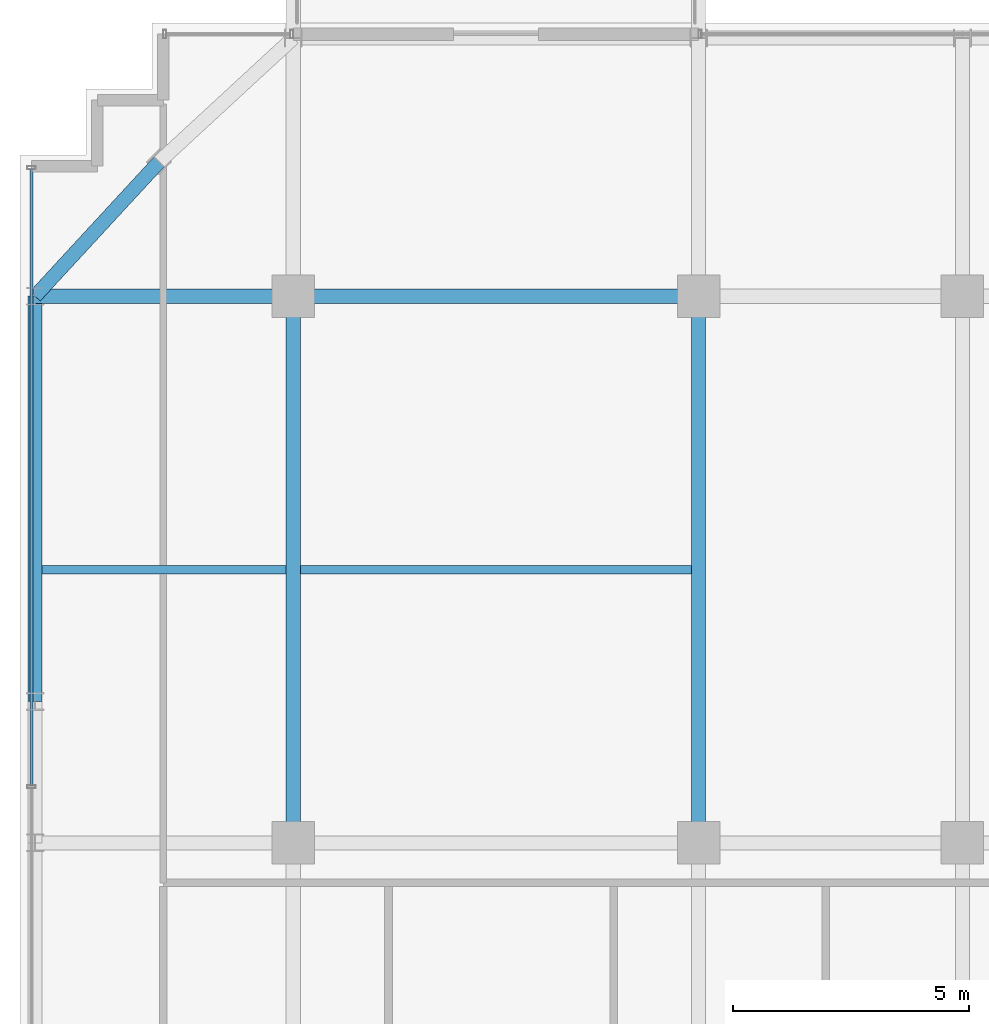
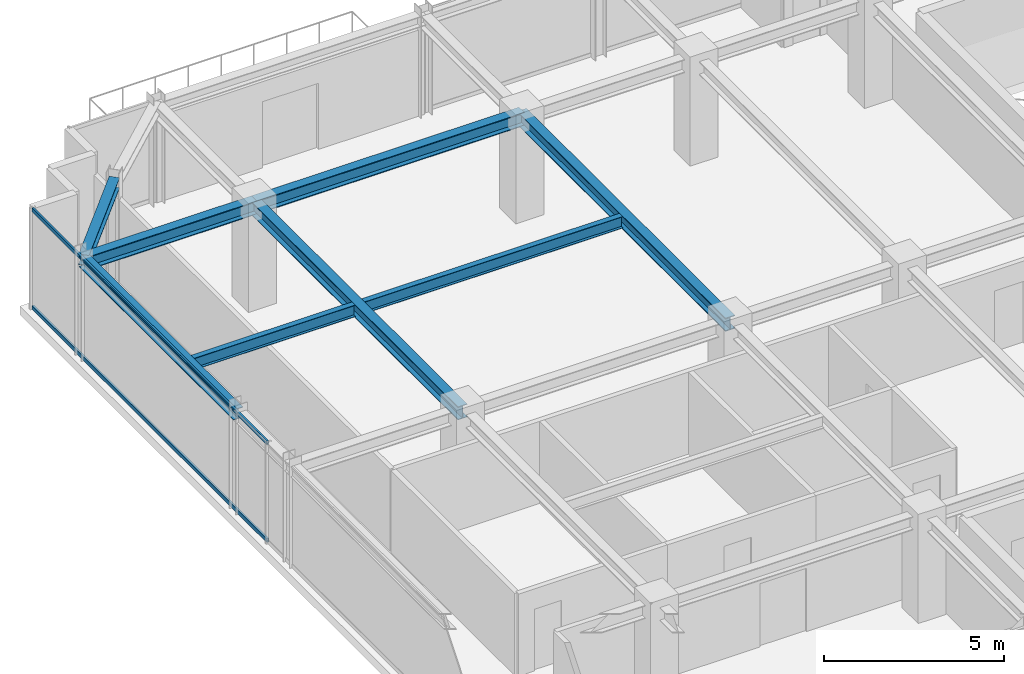
# One storey, part 16 of 31: 8 beams, 2 members, 1 element without a shape of its own.
"""IFC4 building model written with IfcOpenShell, lengths in metres."""

from ifc_helpers import new_model, si_unit, direction, frame, origin, origin_2d, place, context, subcontext, project, spatial, hollow_rectangle, i_section, extrude, source, transform, mapped, material, material_profile, profile_set, type_object, element, aggregate, save


model = new_model("IFC4")

# Units and contexts
model_context = context("Model", 3, precision=1e-05, world=origin(), true_north=direction((0.0, 1.0)))
body_context = subcontext(model_context, "Body", "Model", "MODEL_VIEW")
ifc_project = project(units=[si_unit("LENGTHUNIT", "METRE"), si_unit("AREAUNIT", "SQUARE_METRE"), si_unit("VOLUMEUNIT", "CUBIC_METRE"), si_unit("PLANEANGLEUNIT", "RADIAN"), si_unit("MASSUNIT", "GRAM", prefix="KILO")], contexts=[model_context])

# Site, building, storey
site_placement = place(None, origin())
site = spatial("IfcSite", under=ifc_project, at=site_placement, CompositionType="ELEMENT")
building_placement = place(site_placement, origin())
building = spatial("IfcBuilding", under=site, at=building_placement, Name="Nahalor Promenade Grand Hotel", CompositionType="ELEMENT")
storey_placement = place(building_placement, frame((0.0, 0.0, 281.300048828125)))
storey = spatial("IfcBuildingStorey", under=building, at=storey_placement, Name="L72", CompositionType="ELEMENT", Elevation=281.300048828125)

# Beams
ifc_material_1 = material(Name="Steel S355JR", Category="steel")
ifc_material_profile_1 = material_profile(ifc_material_1, i_section(OverallWidth=0.3, OverallDepth=0.45, WebThickness=0.014, FlangeThickness=0.026, at=origin_2d()), Name="HEB 450")
ifc_profile_set_1 = profile_set([ifc_material_profile_1], Name="Steel S355JR")
beam_type_1 = type_object("IfcBeamType", Name="Beam-Girder-HEB450", PredefinedType="BEAM", material=ifc_profile_set_1)
shared_shape_1 = source(origin(), body_context, "Body", "SweptSolid", [
    extrude(i_section(OverallWidth=0.3, OverallDepth=0.45, WebThickness=0.014, FlangeThickness=0.026, at=origin_2d()), origin(), (0.0, 0.0, 1.0), 8.60009765625),
])
beam_1_placement = place(storey_placement, frame((-17.0, 17.0, 3.224853515625), z_axis=(1.0, 0.0, 0.0), x_axis=(0.0, 1.0, 0.0)))
element("IfcBeam", 1, at=beam_1_placement, inside=storey, type_object=beam_type_1, Name="BM-L72-GX-3-1", PredefinedType="BEAM", context=body_context, shape_type="MappedRepresentation", body=[
    mapped(shared_shape_1, transform((0.0, 0.0, 0.0), scale=1.0)),
])
shared_shape_2 = source(origin(), body_context, "Body", "SweptSolid", [
    extrude(i_section(OverallWidth=0.3, OverallDepth=0.45, WebThickness=0.014, FlangeThickness=0.026, at=origin_2d()), origin(), (0.0, 0.0, 1.0), 11.60009765625),
])
for number, where, z_axis, x_axis, name in (
    (2, (-17.0, 5.39990234375, 3.224853515625), (0.0, 1.0, 0.0), (-1.0, 0.0, 0.0), "BM-L72-GY-0-3"),
    (3, (-8.39990234375, 5.39990234375, 3.224853515625), (0.0, 1.0, 0.0), (-1.0, 0.0, 0.0), "BM-L72-GY-1-3"),
):
    element("IfcBeam", number, at=place(storey_placement, frame(where, z_axis=z_axis, x_axis=x_axis)), inside=storey, type_object=beam_type_1, Name=name, PredefinedType="BEAM", context=body_context, shape_type="MappedRepresentation", body=[
        mapped(shared_shape_2, transform((0.0, 0.0, 0.0), scale=1.0)),
    ])
ifc_material_profile_2 = material_profile(ifc_material_1, i_section(OverallWidth=0.18, OverallDepth=0.4, WebThickness=0.0086, FlangeThickness=0.0135, at=origin_2d()), Name="IPE 400")
ifc_profile_set_2 = profile_set([ifc_material_profile_2], Name="Steel S355JR")
beam_type_2 = type_object("IfcBeamType", Name="Beam-Joist-IPE400", PredefinedType="JOIST", material=ifc_profile_set_2)
shared_shape_3 = source(origin(), body_context, "Body", "SweptSolid", [
    extrude(i_section(OverallWidth=0.18, OverallDepth=0.4, WebThickness=0.0086, FlangeThickness=0.0135, at=origin_2d()), origin(), (0.0, 0.0, 1.0), 8.300048828125),
])
beam_2_placement = place(storey_placement, frame((-16.85009765625, 11.199951171875, 3.25), z_axis=(1.0, 0.0, 0.0), x_axis=(0.0, 1.0, 0.0)))
element("IfcBeam", 4, at=beam_2_placement, inside=storey, type_object=beam_type_2, Name="BM-L72-JSW-1-1", PredefinedType="JOIST", context=body_context, shape_type="MappedRepresentation", body=[
    mapped(shared_shape_3, transform((0.0, 0.0, 0.0), scale=1.0)),
])
shared_shape_4 = source(origin(), body_context, "Body", "SweptSolid", [
    extrude(i_section(OverallWidth=0.3, OverallDepth=0.45, WebThickness=0.014, FlangeThickness=0.026, at=origin_2d()), origin(), (0.0, 0.0, 1.0), 5.47998046875),
])
beam_3_placement = place(storey_placement, frame((-22.47998046875, 17.0, 3.224853515625), z_axis=(1.0, 0.0, 0.0), x_axis=(0.0, 1.0, 0.0)))
element("IfcBeam", 5, at=beam_3_placement, inside=storey, type_object=beam_type_1, Name="BM-L72-GX-3-0", PredefinedType="BEAM", context=body_context, shape_type="MappedRepresentation", body=[
    mapped(shared_shape_4, transform((0.0, 0.0, 0.0), scale=1.0)),
])
shared_shape_5 = source(origin(), body_context, "Body", "SweptSolid", [
    extrude(i_section(OverallWidth=0.18, OverallDepth=0.4, WebThickness=0.0086, FlangeThickness=0.0135, at=origin_2d()), origin(), (0.0, 0.0, 1.0), 5.18017578125),
])
beam_4_placement = place(storey_placement, frame((-22.330078125, 11.199951171875, 3.25), z_axis=(1.0, 0.0, 0.0), x_axis=(0.0, 1.0, 0.0)))
element("IfcBeam", 6, at=beam_4_placement, inside=storey, type_object=beam_type_2, Name="BM-L72-JSW-1-0", PredefinedType="JOIST", context=body_context, shape_type="MappedRepresentation", body=[
    mapped(shared_shape_5, transform((0.0, 0.0, 0.0), scale=1.0)),
])
ifc_material_profile_3 = material_profile(ifc_material_1, i_section(OverallWidth=0.3, OverallDepth=0.36, WebThickness=0.0125, FlangeThickness=0.0225, at=origin_2d()), Name="HEB 360")
ifc_profile_set_3 = profile_set([ifc_material_profile_3], Name="Steel S355JR")
beam_type_3 = type_object("IfcBeamType", Name="Beam-Spandrel-HEB360", PredefinedType="SPANDREL", material=ifc_profile_set_3)
shared_shape_6 = source(origin(), body_context, "Body", "SweptSolid", [
    extrude(i_section(OverallWidth=0.3, OverallDepth=0.36, WebThickness=0.0125, FlangeThickness=0.0225, at=origin_2d()), origin(), (0.0, 0.0, 1.0), 8.60009765625),
])
beam_5_placement = place(storey_placement, frame((-22.47998046875, 8.39990234375, 3.27001953125), z_axis=(0.0, 1.0, 0.0), x_axis=(-1.0, 0.0, 0.0)))
element("IfcBeam", 7, at=beam_5_placement, inside=storey, type_object=beam_type_3, Name="BM-L72-SP-W-4", PredefinedType="SPANDREL", context=body_context, shape_type="MappedRepresentation", body=[
    mapped(shared_shape_6, transform((0.0, 0.0, 0.0), scale=1.0)),
])
shared_shape_7 = source(origin(), body_context, "Body", "SweptSolid", [
    extrude(i_section(OverallWidth=0.3, OverallDepth=0.36, WebThickness=0.0125, FlangeThickness=0.0225, at=origin_2d()), origin(), (0.0, 0.0, 1.0), 3.878173828125),
])
beam_6_placement = place(storey_placement, frame((-19.85009765625, 19.85009765625, 3.27001953125), z_axis=(-0.678144125843, -0.73492893846, 0.0), x_axis=(0.73492893846, -0.678144125843, 0.0)))
element("IfcBeam", 8, at=beam_6_placement, inside=storey, type_object=beam_type_3, Name="BM-L72-SPC-NW-2", PredefinedType="SPANDREL", context=body_context, shape_type="MappedRepresentation", body=[
    mapped(shared_shape_7, transform((0.0, 0.0, 0.0), scale=1.0)),
])

# Curtain wall, members
ifc_material_2 = material(Name="Anodised Bronze Aluminium EN AW-6063 T6", Category="aluminium")
curtain_wall_type = type_object("IfcCurtainWallType", Name="CW2 Typical Hotel Flush Bronze Unitised Curtain Wall", PredefinedType="USERDEFINED", material=ifc_material_2)
curtain_wall_placement = place(storey_placement, origin())
curtain_wall = element("IfcCurtainWall", 9, at=curtain_wall_placement, inside=storey, type_object=curtain_wall_type, Name="L72 Curtain Wall CW-L72-W-1", ObjectType="UNITISED_CURTAIN_WALL", PredefinedType="USERDEFINED")
ifc_material_profile_4 = material_profile(ifc_material_2, hollow_rectangle(XDim=0.065, YDim=0.13, WallThickness=0.004, at=origin_2d()), Name="CWT 65x130x4")
ifc_profile_set_4 = profile_set([ifc_material_profile_4], Name="Anodised Bronze Aluminium EN AW-6063 T6")
member_type = type_object("IfcMemberType", Name="CWT2 Typical Bronze Transom 65x130", PredefinedType="USERDEFINED", material=ifc_profile_set_4)
shared_shape_8 = source(origin(), body_context, "Body", "SweptSolid", [
    extrude(hollow_rectangle(XDim=0.065, YDim=0.13, WallThickness=0.004, at=origin_2d()), origin(), (0.0, 0.0, 1.0), 13.075927734375),
])
member_1_placement = place(storey_placement, frame((-22.56005859375, 6.619140625, 0.06494140625), z_axis=(0.0, 1.0, 0.0), x_axis=(-1.0, 0.0, 0.0)))
member_1 = element("IfcMember", 10, at=member_1_placement, type_object=member_type, Name="CW-L72-W-1 Transom 2-0", ObjectType="TRANSOM", PredefinedType="USERDEFINED", context=body_context, shape_type="MappedRepresentation", body=[
    mapped(shared_shape_8, transform((0.0, 0.0, 0.0), scale=1.0)),
])
member_2_placement = place(storey_placement, frame((-22.56005859375, 6.619140625, 3.385009765625), z_axis=(0.0, 1.0, 0.0), x_axis=(-1.0, 0.0, 0.0)))
member_2 = element("IfcMember", 11, at=member_2_placement, type_object=member_type, Name="CW-L72-W-1 Transom 2-1", ObjectType="TRANSOM", PredefinedType="USERDEFINED", context=body_context, shape_type="MappedRepresentation", body=[
    mapped(shared_shape_8, transform((0.0, 0.0, 0.0), scale=1.0)),
])
aggregate(curtain_wall, [member_1, member_2])

save(model, "model.ifc")
